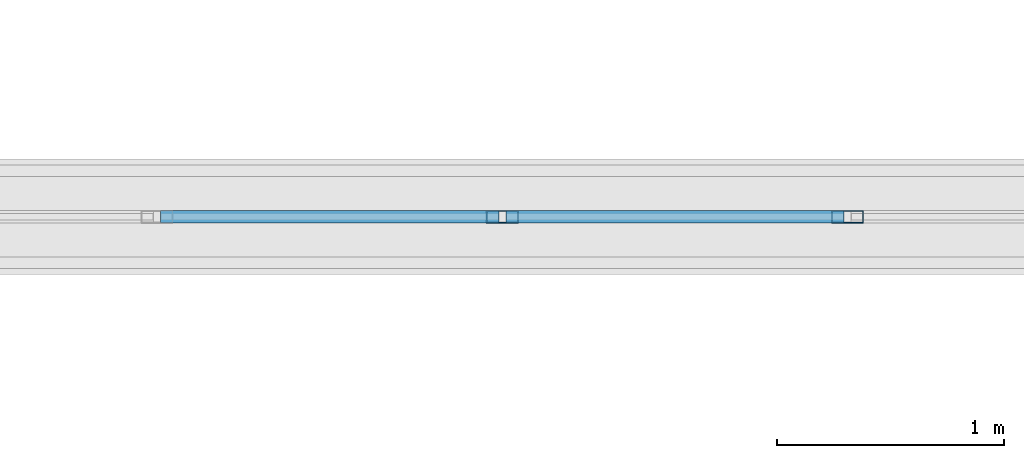
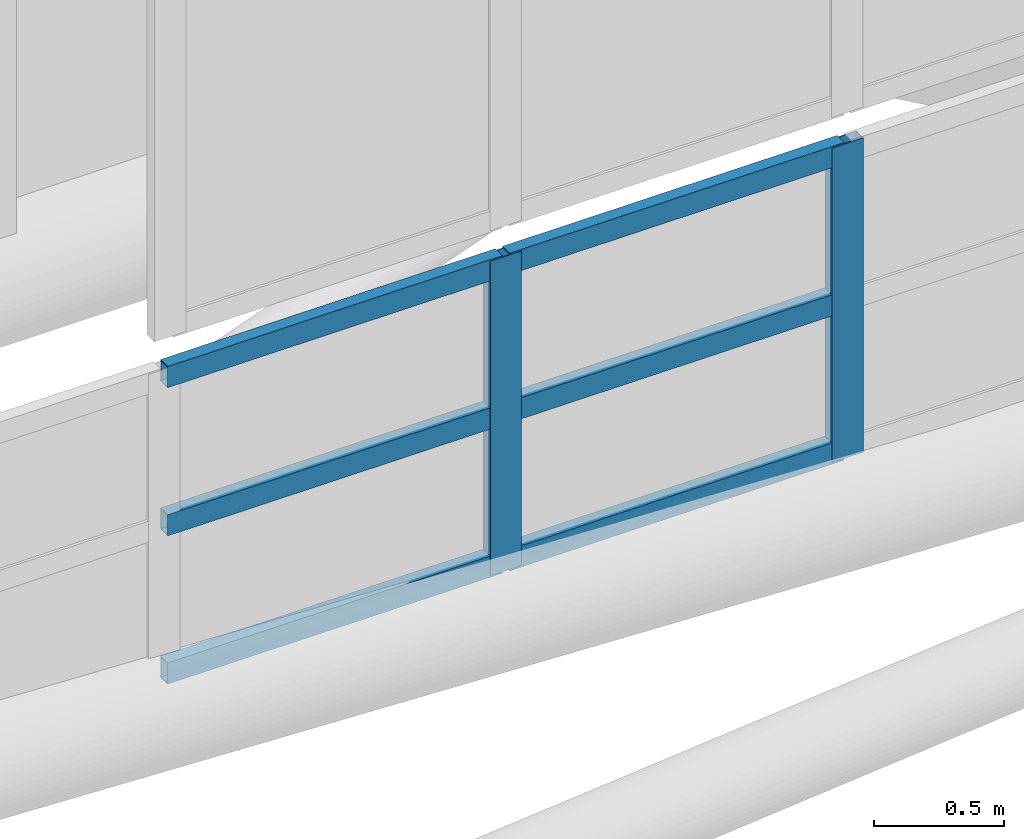
# One storey, part 300 of 397: 8 members, 1 element without a shape of its own.
"""IFC4 building model written with IfcOpenShell, lengths in metres."""

from ifc_helpers import new_model, si_unit, direction, frame, origin, origin_2d, place, context, subcontext, project, spatial, hollow_rectangle, extrude, material, material_profile, profile_set, type_object, element, aggregate, save


model = new_model("IFC4")

# Units and contexts
model_context = context("Model", 3, precision=1e-05, world=origin(), true_north=direction((0.0, 1.0)))
body_context = subcontext(model_context, "Body", "Model", "MODEL_VIEW")
ifc_project = project(units=[si_unit("LENGTHUNIT", "METRE"), si_unit("AREAUNIT", "SQUARE_METRE"), si_unit("VOLUMEUNIT", "CUBIC_METRE"), si_unit("PLANEANGLEUNIT", "RADIAN"), si_unit("MASSUNIT", "GRAM", prefix="KILO")], contexts=[model_context])

# Site, building, storey
site_placement = place(None, origin())
site = spatial("IfcSite", under=ifc_project, at=site_placement, CompositionType="ELEMENT")
building_placement = place(site_placement, origin())
building = spatial("IfcBuilding", under=site, at=building_placement, Name="Qandorah Velis Arena", CompositionType="ELEMENT")
storey_placement = place(building_placement, frame((0.0, 0.0, 27.5)))
storey = spatial("IfcBuildingStorey", under=building, at=storey_placement, Name="RF", CompositionType="ELEMENT", Elevation=27.5)

# Curtain wall, members
ifc_material_1 = material(Name="Solar-control low-E double glazing", Category="glass")
curtain_wall_type = type_object("IfcCurtainWallType", Name="ARC-CW-SYS24", PredefinedType="USERDEFINED", material=ifc_material_1)
curtain_wall_placement = place(storey_placement, origin())
curtain_wall = element("IfcCurtainWall", 1, at=curtain_wall_placement, inside=storey, type_object=curtain_wall_type, Name="Unitised curtain wall OCULUS-4-4", ObjectType="UNITISED CURTAIN WALL", PredefinedType="USERDEFINED")
ifc_material_2 = material(Name="Champagne-bronze anodized aluminium 6063-T6", Category="aluminium")
ifc_material_profile_1 = material_profile(ifc_material_2, hollow_rectangle(XDim=0.054931640625, YDim=0.139892578125, WallThickness=0.0029296875, at=origin_2d()), Name="ALU MULLION 55x140")
ifc_profile_set_1 = profile_set([ifc_material_profile_1], Name="Champagne-bronze anodized aluminium 6063-T6")
member_type_1 = type_object("IfcMemberType", Name="ARC-CWM-140", PredefinedType="MULLION", material=ifc_profile_set_1)
member_1_placement = place(storey_placement, frame((76.916748046875, 100.800048828125, 9.5341796875), z_axis=(0.0, 0.0, 1.0), x_axis=(0.0, 1.0, 0.0)))
member_1 = element("IfcMember", 2, at=member_1_placement, type_object=member_type_1, Name="CW24 mullion 4", PredefinedType="MULLION", context=body_context, shape_type="SweptSolid", body=[
    extrude(hollow_rectangle(XDim=0.054931640625, YDim=0.139892578125, WallThickness=0.0029296875, at=origin_2d()), origin(), (0.0, 0.0, 1.0), 1.480712890625),
])
member_2_placement = place(storey_placement, frame((78.43896484375, 100.800048828125, 9.5341796875), z_axis=(0.0, 0.0, 1.0), x_axis=(0.0, 1.0, 0.0)))
member_2 = element("IfcMember", 3, at=member_2_placement, type_object=member_type_1, Name="CW24 mullion 5", PredefinedType="MULLION", context=body_context, shape_type="SweptSolid", body=[
    extrude(hollow_rectangle(XDim=0.054931640625, YDim=0.139892578125, WallThickness=0.0029296875, at=origin_2d()), origin(), (0.0, 0.0, 1.0), 1.480712890625),
])
ifc_material_profile_2 = material_profile(ifc_material_2, hollow_rectangle(XDim=0.054931640625, YDim=0.10009765625, WallThickness=0.0029296875, at=origin_2d()), Name="ALU TRANSOM 55x100")
ifc_profile_set_2 = profile_set([ifc_material_profile_2], Name="Champagne-bronze anodized aluminium 6063-T6")
member_type_2 = type_object("IfcMemberType", Name="ARC-CWT-100", PredefinedType="USERDEFINED", material=ifc_profile_set_2)
member_3_placement = place(storey_placement, frame((75.409912109375, 100.800048828125, 9.57666015625), z_axis=(1.0, 0.0, 0.0), x_axis=(0.0, 1.0, 0.0)))
member_3 = element("IfcMember", 4, at=member_3_placement, type_object=member_type_2, Name="CW24 transom 3.1", ObjectType="TRANSOM", PredefinedType="USERDEFINED", context=body_context, shape_type="SweptSolid", body=[
    extrude(hollow_rectangle(XDim=0.054931640625, YDim=0.10009765625, WallThickness=0.0029296875, at=origin_2d()), origin(), (0.0, 0.0, 1.0), 1.4912109375),
])
member_4_placement = place(storey_placement, frame((75.409912109375, 100.800048828125, 10.274658203125), z_axis=(1.0, 0.0, 0.0), x_axis=(0.0, 1.0, 0.0)))
member_4 = element("IfcMember", 5, at=member_4_placement, type_object=member_type_2, Name="CW24 transom 3.2", ObjectType="TRANSOM", PredefinedType="USERDEFINED", context=body_context, shape_type="SweptSolid", body=[
    extrude(hollow_rectangle(XDim=0.054931640625, YDim=0.10009765625, WallThickness=0.0029296875, at=origin_2d()), origin(), (0.0, 0.0, 1.0), 1.4912109375),
])
member_5_placement = place(storey_placement, frame((75.409912109375, 100.800048828125, 10.972412109375), z_axis=(1.0, 0.0, 0.0), x_axis=(0.0, 1.0, 0.0)))
member_5 = element("IfcMember", 6, at=member_5_placement, type_object=member_type_2, Name="CW24 transom 3.3", ObjectType="TRANSOM", PredefinedType="USERDEFINED", context=body_context, shape_type="SweptSolid", body=[
    extrude(hollow_rectangle(XDim=0.054931640625, YDim=0.10009765625, WallThickness=0.0029296875, at=origin_2d()), origin(), (0.0, 0.0, 1.0), 1.4912109375),
])
member_6_placement = place(storey_placement, frame((76.93212890625, 100.800048828125, 9.57666015625), z_axis=(1.0, 0.0, 0.0), x_axis=(0.0, 1.0, 0.0)))
member_6 = element("IfcMember", 7, at=member_6_placement, type_object=member_type_2, Name="CW24 transom 4.1", ObjectType="TRANSOM", PredefinedType="USERDEFINED", context=body_context, shape_type="SweptSolid", body=[
    extrude(hollow_rectangle(XDim=0.054931640625, YDim=0.10009765625, WallThickness=0.0029296875, at=origin_2d()), origin(), (0.0, 0.0, 1.0), 1.4912109375),
])
member_7_placement = place(storey_placement, frame((76.93212890625, 100.800048828125, 10.274658203125), z_axis=(1.0, 0.0, 0.0), x_axis=(0.0, 1.0, 0.0)))
member_7 = element("IfcMember", 8, at=member_7_placement, type_object=member_type_2, Name="CW24 transom 4.2", ObjectType="TRANSOM", PredefinedType="USERDEFINED", context=body_context, shape_type="SweptSolid", body=[
    extrude(hollow_rectangle(XDim=0.054931640625, YDim=0.10009765625, WallThickness=0.0029296875, at=origin_2d()), origin(), (0.0, 0.0, 1.0), 1.4912109375),
])
member_8_placement = place(storey_placement, frame((76.93212890625, 100.800048828125, 10.972412109375), z_axis=(1.0, 0.0, 0.0), x_axis=(0.0, 1.0, 0.0)))
member_8 = element("IfcMember", 9, at=member_8_placement, type_object=member_type_2, Name="CW24 transom 4.3", ObjectType="TRANSOM", PredefinedType="USERDEFINED", context=body_context, shape_type="SweptSolid", body=[
    extrude(hollow_rectangle(XDim=0.054931640625, YDim=0.10009765625, WallThickness=0.0029296875, at=origin_2d()), origin(), (0.0, 0.0, 1.0), 1.4912109375),
])
aggregate(curtain_wall, [member_1, member_2, member_3, member_4, member_5, member_6, member_7, member_8])

save(model, "model.ifc")
